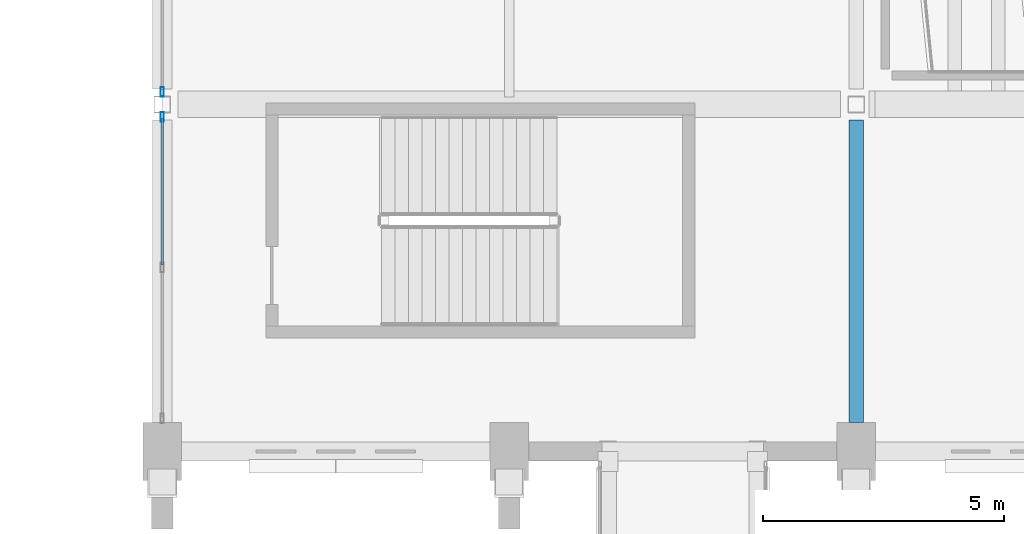
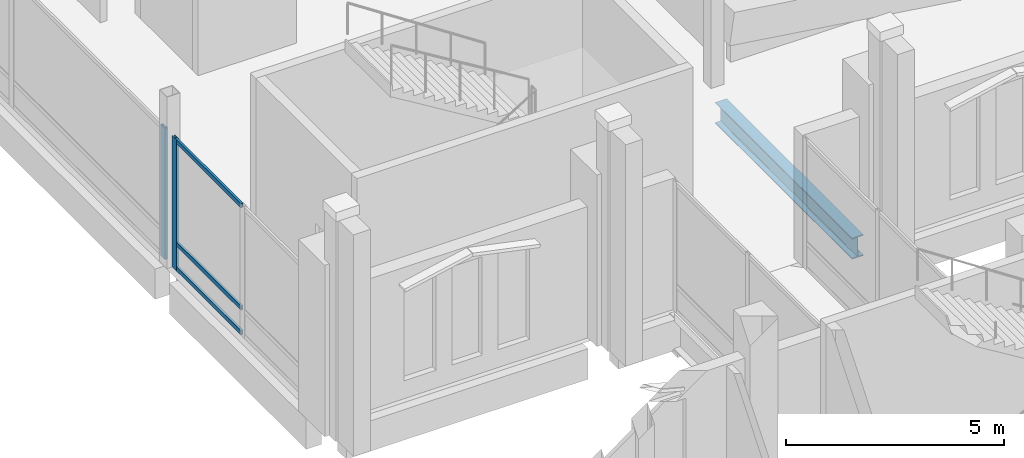
# One storey, part 69 of 193: 5 members, 1 beam, 2 elements without a shape of their own.
"""IFC4 building model written with IfcOpenShell, lengths in metres."""

import ifcopenshell
import ifcopenshell.guid

model = None  # the IFC model being written
_history = None  # IfcOwnerHistory: only IFC2X3 demands one
_inside = {}  # id of a spatial element -> (the spatial element, [elements in it])
_under = {}  # id of a project, library or spatial element -> (it, [spatial elements below it])
_declared = {}  # id of a project -> (the project, [libraries it declares])
_typed = {}  # id of a type object -> (the type object, [elements of that type])
_made_of = {}  # id of a material, layer set ... -> (it, [elements and type objects made of it])


def new_model(schema):
    """Start an empty IFC model of exactly this schema.

    Asked for "IFC4X3", IfcOpenShell would pick the latest addendum, in which some entities
    have other attributes; the version numbers below select the first issue.
    IFC2X3 requires an IfcOwnerHistory on every rooted entity: one is made here for all.
    """
    global model, _history
    if schema == "IFC4X3":
        model = ifcopenshell.file(schema_version=(4, 3, 0, 0))
    else:
        model = ifcopenshell.file(schema=schema)
    _inside.clear()
    _under.clear()
    _declared.clear()
    _typed.clear()
    _made_of.clear()
    _history = None
    if model.schema == "IFC2X3":
        org = make("IfcOrganization", Name="unknown")
        user = make(
            "IfcPersonAndOrganization",
            ThePerson=make("IfcPerson", FamilyName="unknown"),
            TheOrganization=org,
        )
        app = make(
            "IfcApplication",
            ApplicationDeveloper=org,
            Version="unknown",
            ApplicationFullName="unknown",
            ApplicationIdentifier="unknown",
        )
        _history = make(
            "IfcOwnerHistory",
            OwningUser=user,
            OwningApplication=app,
            ChangeAction="ADDED",
            CreationDate=0,
        )
    return model


def make(cls, **values):
    """One entity of the class cls with the attributes given. An attribute that is None is left unset."""
    return model.create_entity(
        cls, **{name: value for name, value in values.items() if value is not None}
    )


def rooted(cls, **values):
    """An entity with a GlobalId (a new one), such as an element, a storey or a relation."""
    return make(cls, GlobalId=ifcopenshell.guid.new(), OwnerHistory=_history, **values)


def si_unit(unit_type, name, prefix=None):
    """IfcSIUnit, for example si_unit("LENGTHUNIT", "METRE", prefix="MILLI")."""
    return make("IfcSIUnit", UnitType=unit_type, Prefix=prefix, Name=name)


def assignment(units):
    """IfcUnitAssignment: the units of a project."""
    return None if units is None else make("IfcUnitAssignment", Units=units)


def point(xyz):
    """IfcCartesianPoint."""
    return None if xyz is None else make("IfcCartesianPoint", Coordinates=xyz)


def direction(xyz):
    """IfcDirection."""
    return None if xyz is None else make("IfcDirection", DirectionRatios=xyz)


def frame(location, z_axis=None, x_axis=None):
    """IfcAxis2Placement3D, a coordinate frame: its origin and axes. An axis left out is left unset."""
    return make(
        "IfcAxis2Placement3D",
        Location=point(location),
        Axis=direction(z_axis),
        RefDirection=direction(x_axis),
    )


def frame_2d(location, x_axis=None):
    """IfcAxis2Placement2D, a coordinate frame in the plane: its origin and x axis."""
    return make(
        "IfcAxis2Placement2D", Location=point(location), RefDirection=direction(x_axis)
    )


def origin():
    """The frame at (0, 0, 0) with its axes left unset."""
    return frame((0.0, 0.0, 0.0))


def origin_2d():
    """The frame at (0, 0) in the plane with its x axis left unset."""
    return frame_2d((0.0, 0.0))


def place(relative_to, where):
    """IfcLocalPlacement: puts the frame where relative to a parent placement (None: the world)."""
    return make(
        "IfcLocalPlacement", PlacementRelTo=relative_to, RelativePlacement=where
    )


def context(
    kind, dimensions, precision=None, world=None, true_north=None, identifier=None
):
    """IfcGeometricRepresentationContext, for example the 3D "Model" context."""
    return make(
        "IfcGeometricRepresentationContext",
        ContextIdentifier=identifier,
        ContextType=kind,
        CoordinateSpaceDimension=dimensions,
        Precision=precision,
        WorldCoordinateSystem=world,
        TrueNorth=true_north,
    )


def subcontext(parent, identifier, kind, view, scale=None):
    """IfcGeometricRepresentationSubContext, for example "Body" below "Model"."""
    return make(
        "IfcGeometricRepresentationSubContext",
        ContextIdentifier=identifier,
        ContextType=kind,
        ParentContext=parent,
        TargetScale=scale,
        TargetView=view,
    )


def project(units=None, contexts=None):
    """IfcProject with its units and contexts."""
    return rooted(
        "IfcProject",
        Name="project",
        RepresentationContexts=contexts,
        UnitsInContext=assignment(units),
    )


def spatial(cls, under=None, at=None, **own):
    """A site, building, storey or space (cls), placed at a placement, below another one or the project."""
    s = rooted(cls, ObjectPlacement=at, **own)
    if under is not None:
        _under.setdefault(under.id(), (under, []))[1].append(s)
    return s


def profile(cls, at=None, kind="AREA", **sizes):
    """A parametric profile (cls). Its sizes go by their IFC names, for example OverallWidth=200.0."""
    return make(cls, ProfileType=kind, Position=at, **sizes)


def hollow_rectangle(**sizes):
    """IfcRectangleHollowProfileDef."""
    return profile("IfcRectangleHollowProfileDef", **sizes)


def i_section(**sizes):
    """IfcIShapeProfileDef."""
    return profile("IfcIShapeProfileDef", **sizes)


def extrude(swept, where, along, depth):
    """IfcExtrudedAreaSolid: the profile swept, set in the frame where, extruded along a direction by depth."""
    return make(
        "IfcExtrudedAreaSolid",
        SweptArea=swept,
        Position=where,
        ExtrudedDirection=direction(along),
        Depth=depth,
    )


def shape(context_of_items, identifier, shape_type, items):
    """IfcShapeRepresentation: the items that make up one representation, for example the "Body"."""
    return make(
        "IfcShapeRepresentation",
        ContextOfItems=context_of_items,
        RepresentationIdentifier=identifier,
        RepresentationType=shape_type,
        Items=items,
    )


def material(Name=None, Category=None):
    """IfcMaterial."""
    return make("IfcMaterial", Name=Name, Category=Category)


def material_profile(
    of_material, cross_section, Name=None, Category=None, Priority=None
):
    """IfcMaterialProfile: a cross section and its material."""
    return make(
        "IfcMaterialProfile",
        Name=Name,
        Material=of_material,
        Profile=cross_section,
        Priority=Priority,
        Category=Category,
    )


def profile_set(profiles, Name=None, composite=None):
    """IfcMaterialProfileSet."""
    return make(
        "IfcMaterialProfileSet",
        Name=Name,
        MaterialProfiles=profiles,
        CompositeProfile=composite,
    )


def made_of(thing, what):
    """Note that an element or type object is made of a material, layer set ...; save() writes the relation."""
    if what is not None:
        _made_of.setdefault(what.id(), (what, []))[1].append(thing)
    return thing


def type_object(cls, material=None, **own):
    """A type object (cls), such as IfcWallType, which elements share."""
    return made_of(rooted(cls, **own), material)


def element(
    cls,
    number,
    at=None,
    inside=None,
    cuts=None,
    type_object=None,
    material=None,
    context=None,
    identifier="Body",
    shape_type=None,
    held_by="IfcProductDefinitionShape",
    body=None,
    shapes=None,
    **own,
):
    """One element of the class cls, such as IfcWall. Its Tag is "e" and its number.

    at: its placement. inside: the storey or other place that contains it. cuts: it is an
    opening in that element (IfcRelVoidsElement). A single representation is given by context,
    identifier, shape_type and body (its items); several are given by shapes. held_by: the class
    of the entity that holds the representations. save() writes the other relations.
    """
    e = rooted(cls, Tag="e%d" % number, ObjectPlacement=at, **own)
    if body is not None:
        shapes = [shape(context, identifier, shape_type, body)]
    if shapes is not None:
        e.Representation = make(held_by, Representations=shapes)
    if inside is not None:
        _inside.setdefault(inside.id(), (inside, []))[1].append(e)
    if cuts is not None:
        rooted(
            "IfcRelVoidsElement", RelatingBuildingElement=cuts, RelatedOpeningElement=e
        )
    if type_object is not None:
        _typed.setdefault(type_object.id(), (type_object, []))[1].append(e)
    return made_of(e, material)


def aggregate(whole, parts):
    """IfcRelAggregates: a whole, such as a stair, and the parts it consists of."""
    return rooted("IfcRelAggregates", RelatingObject=whole, RelatedObjects=parts)


def save(model, path):
    """Write the relations noted so far, then the file.

    IfcRelAggregates (storeys below a building ...), IfcRelContainedInSpatialStructure (elements
    in a storey), IfcRelDefinesByType, IfcRelAssociatesMaterial and IfcRelDeclares: one each for
    every whole, place, type object, material and project.
    """
    for whole, parts in _under.values():
        aggregate(whole, parts)
    for where, things in _inside.values():
        rooted(
            "IfcRelContainedInSpatialStructure",
            RelatedElements=things,
            RelatingStructure=where,
        )
    for kind, things in _typed.values():
        rooted("IfcRelDefinesByType", RelatedObjects=things, RelatingType=kind)
    for what, things in _made_of.values():
        rooted("IfcRelAssociatesMaterial", RelatedObjects=things, RelatingMaterial=what)
    for by, libraries in _declared.values():
        rooted("IfcRelDeclares", RelatingContext=by, RelatedDefinitions=libraries)
    model.write(path)


model = new_model("IFC4")

# Units and contexts
model_context = context("Model", 3, precision=1e-05, world=origin(), true_north=direction((0.0, 1.0)))
body_context = subcontext(model_context, "Body", "Model", "MODEL_VIEW")
ifc_project = project(units=[si_unit("LENGTHUNIT", "METRE"), si_unit("AREAUNIT", "SQUARE_METRE"), si_unit("VOLUMEUNIT", "CUBIC_METRE"), si_unit("PLANEANGLEUNIT", "RADIAN"), si_unit("MASSUNIT", "GRAM", prefix="KILO")], contexts=[model_context])

# Site, building, storey
site_placement = place(None, origin())
site = spatial("IfcSite", under=ifc_project, at=site_placement, CompositionType="ELEMENT")
building_placement = place(site_placement, origin())
building = spatial("IfcBuilding", under=site, at=building_placement, Name="Cendralis Lancet Convention Centre", CompositionType="ELEMENT")
storey_placement = place(building_placement, frame((0.0, 0.0, 10.199951171875)))
storey = spatial("IfcBuildingStorey", under=building, at=storey_placement, Name="L02", CompositionType="ELEMENT", Elevation=10.199951171875)

# Curtain wall, member
ifc_material_1 = material(Name="Anodised bronze architectural aluminium", Category="aluminium")
curtain_wall_type = type_object("IfcCurtainWallType", Name="ARC-CW-PL02", PredefinedType="USERDEFINED", material=ifc_material_1)
curtain_wall_1_placement = place(storey_placement, origin())
curtain_wall_1 = element("IfcCurtainWall", 1, at=curtain_wall_1_placement, inside=storey, type_object=curtain_wall_type, Name="L02 Curtain Wall CW-PL2 #126", ObjectType="CURTAIN WALL", PredefinedType="USERDEFINED")
ifc_material_profile_1 = material_profile(ifc_material_1, hollow_rectangle(XDim=0.070068359375, YDim=0.199951171875, WallThickness=0.0048828125, at=origin_2d()), Name="AL-MULL 70x200x5.0")
ifc_profile_set_1 = profile_set([ifc_material_profile_1], Name="Anodised bronze architectural aluminium")
member_type_1 = type_object("IfcMemberType", Name="ARC-CW-ML02", PredefinedType="MULLION", material=ifc_profile_set_1)
member_1_placement = place(storey_placement, frame((139.199951171875, 50.139892578125, 0.0), z_axis=(0.0, 0.0, 1.0), x_axis=(1.0, 0.0, 0.0)))
member_1 = element("IfcMember", 2, at=member_1_placement, type_object=member_type_1, Name="Mullion CW2-CW-PL2-L02-126-M2", PredefinedType="MULLION", context=body_context, shape_type="SweptSolid", body=[
    extrude(hollow_rectangle(XDim=0.070068359375, YDim=0.199951171875, WallThickness=0.0048828125, at=origin_2d()), origin(), (0.0, 0.0, 1.0), 3.675048828125),
])

curtain_wall_2_placement = place(storey_placement, origin())
curtain_wall_2 = element("IfcCurtainWall", 3, at=curtain_wall_2_placement, inside=storey, type_object=curtain_wall_type, Name="L02 Curtain Wall CW-PL2 #127", ObjectType="CURTAIN WALL", PredefinedType="USERDEFINED")
member_2_placement = place(storey_placement, frame((139.199951171875, 50.659912109375, 0.0), z_axis=(0.0, 0.0, 1.0), x_axis=(1.0, 0.0, 0.0)))
member_2 = element("IfcMember", 4, at=member_2_placement, type_object=member_type_1, Name="Mullion CW2-CW-PL2-L02-127-M0", PredefinedType="MULLION", context=body_context, shape_type="SweptSolid", body=[
    extrude(hollow_rectangle(XDim=0.070068359375, YDim=0.199951171875, WallThickness=0.0048828125, at=origin_2d()), origin(), (0.0, 0.0, 1.0), 3.675048828125),
])
aggregate(curtain_wall_2, [member_2])

# Member
ifc_material_profile_2 = material_profile(ifc_material_1, hollow_rectangle(XDim=0.06005859375, YDim=0.1201171875, WallThickness=0.00390625, at=origin_2d()), Name="AL-TRAN 60x120x4.0")
ifc_profile_set_2 = profile_set([ifc_material_profile_2], Name="Anodised bronze architectural aluminium")
member_type_2 = type_object("IfcMemberType", Name="ARC-CW-TR01", PredefinedType="USERDEFINED", material=ifc_profile_set_2)
member_3_placement = place(storey_placement, frame((139.199951171875, 47.08251953125, 0.06005859375), z_axis=(0.0, 1.0, 0.0), x_axis=(-1.0, 0.0, 0.0)))
member_3 = element("IfcMember", 5, at=member_3_placement, type_object=member_type_2, Name="Transom CW2-CW-PL2-L02-126-T1BOT", ObjectType="TRANSOM", PredefinedType="USERDEFINED", context=body_context, shape_type="SweptSolid", body=[
    extrude(hollow_rectangle(XDim=0.06005859375, YDim=0.1201171875, WallThickness=0.00390625, at=origin_2d()), origin(), (0.0, 0.0, 1.0), 3.0224609375),
])

member_4_placement = place(storey_placement, frame((139.199951171875, 47.08251953125, 0.75), z_axis=(0.0, 1.0, 0.0), x_axis=(-1.0, 0.0, 0.0)))
member_4 = element("IfcMember", 6, at=member_4_placement, type_object=member_type_2, Name="Transom CW2-CW-PL2-L02-126-T1MID", ObjectType="TRANSOM", PredefinedType="USERDEFINED", context=body_context, shape_type="SweptSolid", body=[
    extrude(hollow_rectangle(XDim=0.06005859375, YDim=0.1201171875, WallThickness=0.00390625, at=origin_2d()), origin(), (0.0, 0.0, 1.0), 3.0224609375),
])

member_5_placement = place(storey_placement, frame((139.199951171875, 47.08251953125, 3.614990234375), z_axis=(0.0, 1.0, 0.0), x_axis=(-1.0, 0.0, 0.0)))
member_5 = element("IfcMember", 7, at=member_5_placement, type_object=member_type_2, Name="Transom CW2-CW-PL2-L02-126-T1TOP", ObjectType="TRANSOM", PredefinedType="USERDEFINED", context=body_context, shape_type="SweptSolid", body=[
    extrude(hollow_rectangle(XDim=0.06005859375, YDim=0.1201171875, WallThickness=0.00390625, at=origin_2d()), origin(), (0.0, 0.0, 1.0), 3.0224609375),
])

aggregate(curtain_wall_1, [member_1, member_3, member_4, member_5])

# Beam
ifc_material_2 = material(Name="Steel S355", Category="steel")
ifc_material_profile_3 = material_profile(ifc_material_2, i_section(OverallWidth=0.300048828125, OverallDepth=0.590087890625, WebThickness=0.012939453125, FlangeThickness=0.02490234375, FilletRadius=0.027099609375, at=origin_2d()), Name="HEA 600")
ifc_profile_set_3 = profile_set([ifc_material_profile_3], Name="Steel S355")
beam_type = type_object("IfcBeamType", Name="STR-BM-SG10", PredefinedType="BEAM", material=ifc_profile_set_3)
beam_placement = place(storey_placement, frame((153.60009765625, 43.800048828125, -0.594970703125), z_axis=(0.0, 1.0, 0.0), x_axis=(-1.0, 0.0, 0.0)))
element("IfcBeam", 8, at=beam_placement, inside=storey, type_object=beam_type, Name="L02 Beam SG10 #1482", PredefinedType="BEAM", context=body_context, shape_type="SweptSolid", body=[
    extrude(i_section(OverallWidth=0.300048828125, OverallDepth=0.590087890625, WebThickness=0.012939453125, FlangeThickness=0.02490234375, FilletRadius=0.027099609375, at=origin_2d()), origin(), (0.0, 0.0, 1.0), 6.27490234375),
])

save(model, "model.ifc")
